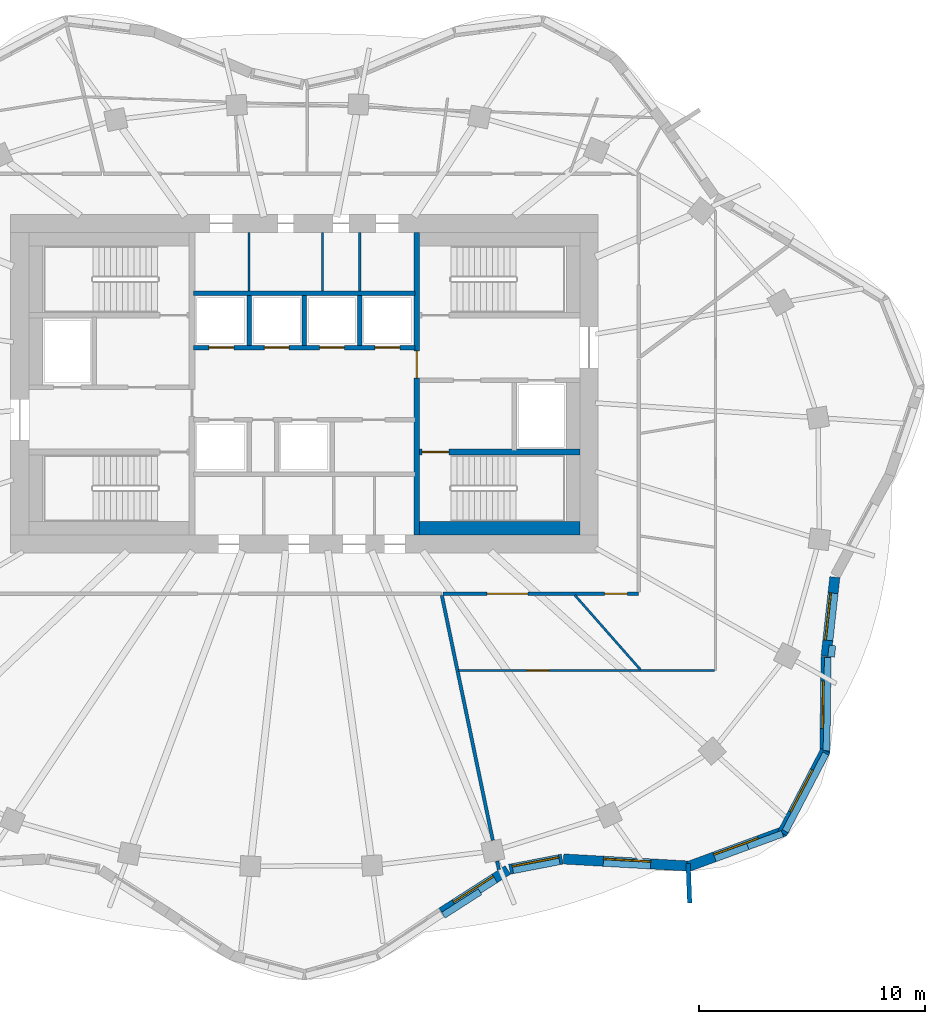
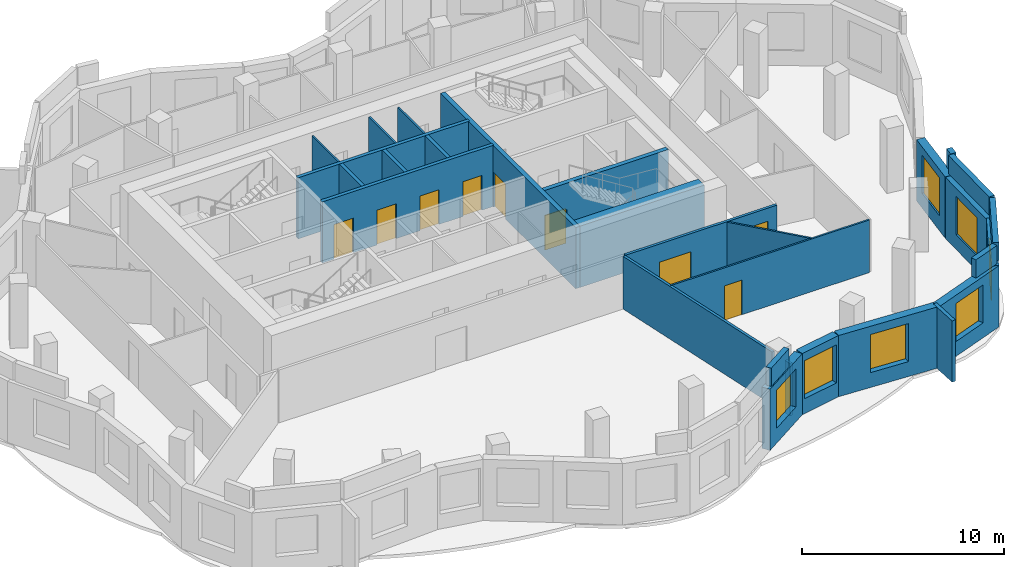
# One storey, part 5 of 9: 29 walls, 9 doors, 7 windows, 16 openings.
"""IFC4 building model written with IfcOpenShell, lengths in metres."""

from ifc_helpers import new_model, si_unit, direction, frame, frame_2d, origin, place, context, subcontext, project, spatial, rectangle, extrude, material, layer, layer_set, type_object, element, fill, save


model = new_model("IFC4")

# Units and contexts
model_context = context("Model", 3, precision=1e-05, world=origin(), true_north=direction((0.0, 1.0)))
body_context = subcontext(model_context, "Body", "Model", "MODEL_VIEW")
ifc_project = project(units=[si_unit("LENGTHUNIT", "METRE"), si_unit("AREAUNIT", "SQUARE_METRE"), si_unit("VOLUMEUNIT", "CUBIC_METRE"), si_unit("PLANEANGLEUNIT", "RADIAN"), si_unit("MASSUNIT", "GRAM", prefix="KILO")], contexts=[model_context])

# Site, building, storey
site_placement = place(None, origin())
site = spatial("IfcSite", under=ifc_project, at=site_placement, CompositionType="ELEMENT")
building_placement = place(site_placement, origin())
building = spatial("IfcBuilding", under=site, at=building_placement, Name="Rubra Terraces Tower", CompositionType="ELEMENT")
storey_placement = place(building_placement, frame((0.0, 0.0, 268.800048828125)))
storey = spatial("IfcBuildingStorey", under=building, at=storey_placement, Name="L66", CompositionType="ELEMENT", Elevation=268.800048828125)

# Wall, opening, window
ifc_material_1 = material(Name="Brick masonry red-brown", Category="masonry")
ifc_layer_1 = layer(ifc_material_1, 0.449951171875)
ifc_layer_set_1 = layer_set([ifc_layer_1], Name="Brick masonry red-brown")
wall_type_1 = type_object("IfcWallType", Name="Brick facade wall 450", PredefinedType="SOLIDWALL", material=ifc_layer_set_1)
wall_1_placement = place(storey_placement, frame((6.076416015625, -18.906494140625, 0.0), z_axis=(0.0, 0.0, 1.0), x_axis=(0.841872604405, 0.539676308496, 0.0)))
wall_1 = element("IfcWall", 1, at=wall_1_placement, inside=storey, type_object=wall_type_1, Name="Facade wall L66 bay 33", PredefinedType="SOLIDWALL", context=body_context, shape_type="SweptSolid", body=[
    extrude(rectangle(XDim=3.48193359375, YDim=0.449951171875, at=frame_2d((1.740966796875, 0.0))), origin(), (0.0, 0.0, 1.0), 3.699951171875),
])
opening_1_placement = place(wall_1_placement, frame((0.691162109375, 0.0, 0.89990234375)))
opening_1 = element("IfcOpeningElement", 2, at=opening_1_placement, cuts=wall_1, Name="Opening W1B", PredefinedType="OPENING", context=body_context, shape_type="SweptSolid", body=[
    extrude(rectangle(XDim=2.10009765625, YDim=2.300048828125, at=frame_2d((1.050048828125, 1.14990234375))), frame((0.0, 0.23486328125, 0.0), z_axis=(0.0, -1.0, 0.0), x_axis=(1.0, 0.0, 0.0)), (0.0, 0.0, 1.0), 0.469970703125),
])
ifc_material_2 = material(Name="Clear glass in aluminium frame", Category="aluminium")
window_type = type_object("IfcWindowType", Name="Fixed deep-set window tall storey 2100 x 2300", PartitioningType="SINGLE_PANEL", PredefinedType="WINDOW", material=ifc_material_2)
window_1_placement = place(opening_1_placement, origin())
window_1 = element("IfcWindow", 3, at=window_1_placement, inside=storey, type_object=window_type, Name="Window L66 bay 33", OverallHeight=2.300048828125, OverallWidth=2.10009765625, PartitioningType="SINGLE_PANEL", PredefinedType="WINDOW", context=body_context, shape_type="SweptSolid", body=[
    extrude(rectangle(XDim=2.10009765625, YDim=2.300048828125, at=frame_2d((1.050048828125, 1.14990234375))), frame((0.0, 0.135009765625, 0.0), z_axis=(0.0, -1.0, 0.0), x_axis=(1.0, 0.0, 0.0)), (0.0, 0.0, 1.0), 0.06005859375),
])
fill(opening_1, window_1)

wall_2_placement = place(storey_placement, frame((9.084716796875, -16.9970703125, 0.0), z_axis=(0.0, 0.0, 1.0), x_axis=(0.981863241167, 0.189590547352, 0.0)))
wall_2 = element("IfcWall", 4, at=wall_2_placement, inside=storey, type_object=wall_type_1, Name="Facade wall L66 bay 34", PredefinedType="SOLIDWALL", context=body_context, shape_type="SweptSolid", body=[
    extrude(rectangle(XDim=2.375732421875, YDim=0.449951171875, at=frame_2d((1.18798828125, 0.0))), origin(), (0.0, 0.0, 1.0), 3.699951171875),
])
opening_2_placement = place(wall_2_placement, frame((0.13818359375, 0.0, 0.89990234375)))
opening_2 = element("IfcOpeningElement", 5, at=opening_2_placement, cuts=wall_2, Name="Opening W1B", PredefinedType="OPENING", context=body_context, shape_type="SweptSolid", body=[
    extrude(rectangle(XDim=2.10009765625, YDim=2.300048828125, at=frame_2d((1.050048828125, 1.14990234375))), frame((0.0, 0.23486328125, 0.0), z_axis=(0.0, -1.0, 0.0), x_axis=(1.0, 0.0, 0.0)), (0.0, 0.0, 1.0), 0.469970703125),
])
window_2_placement = place(opening_2_placement, origin())
window_2 = element("IfcWindow", 6, at=window_2_placement, inside=storey, type_object=window_type, Name="Window L66 bay 34", OverallHeight=2.300048828125, OverallWidth=2.10009765625, PartitioningType="SINGLE_PANEL", PredefinedType="WINDOW", context=body_context, shape_type="SweptSolid", body=[
    extrude(rectangle(XDim=2.10009765625, YDim=2.300048828125, at=frame_2d((1.050048828125, 1.14990234375))), frame((0.0, 0.135009765625, 0.0), z_axis=(0.0, -1.0, 0.0), x_axis=(1.0, 0.0, 0.0)), (0.0, 0.0, 1.0), 0.06005859375),
])
fill(opening_2, window_2)

wall_3_placement = place(storey_placement, frame((11.472900390625, -16.54296875, 0.0), z_axis=(0.0, 0.0, 1.0), x_axis=(0.998421029491, -0.056173373311, 0.0)))
wall_3 = element("IfcWall", 7, at=wall_3_placement, inside=storey, type_object=wall_type_1, Name="Facade wall L66 bay 35", PredefinedType="SOLIDWALL", context=body_context, shape_type="SweptSolid", body=[
    extrude(rectangle(XDim=5.632568359375, YDim=0.449951171875, at=frame_2d((2.81640625, 0.0))), origin(), (0.0, 0.0, 1.0), 3.699951171875),
])
opening_3_placement = place(wall_3_placement, frame((1.766357421875, 0.0, 0.89990234375)))
opening_3 = element("IfcOpeningElement", 8, at=opening_3_placement, cuts=wall_3, Name="Opening W1B", PredefinedType="OPENING", context=body_context, shape_type="SweptSolid", body=[
    extrude(rectangle(XDim=2.10009765625, YDim=2.300048828125, at=frame_2d((1.050048828125, 1.14990234375))), frame((0.0, 0.23486328125, 0.0), z_axis=(0.0, -1.0, 0.0), x_axis=(1.0, 0.0, 0.0)), (0.0, 0.0, 1.0), 0.469970703125),
])
window_3_placement = place(opening_3_placement, origin())
window_3 = element("IfcWindow", 9, at=window_3_placement, inside=storey, type_object=window_type, Name="Window L66 bay 35", OverallHeight=2.300048828125, OverallWidth=2.10009765625, PartitioningType="SINGLE_PANEL", PredefinedType="WINDOW", context=body_context, shape_type="SweptSolid", body=[
    extrude(rectangle(XDim=2.10009765625, YDim=2.300048828125, at=frame_2d((1.050048828125, 1.14990234375))), frame((0.0, 0.135009765625, 0.0), z_axis=(0.0, -1.0, 0.0), x_axis=(1.0, 0.0, 0.0)), (0.0, 0.0, 1.0), 0.06005859375),
])
fill(opening_3, window_3)

wall_4_placement = place(storey_placement, frame((17.00634765625, -16.872802734375, 0.0), z_axis=(0.0, 0.0, 1.0), x_axis=(0.938563728531, 0.345105965591, 0.0)))
wall_4 = element("IfcWall", 10, at=wall_4_placement, inside=storey, type_object=wall_type_1, Name="Facade wall L66 bay 36", PredefinedType="SOLIDWALL", context=body_context, shape_type="SweptSolid", body=[
    extrude(rectangle(XDim=4.549560546875, YDim=0.449951171875, at=frame_2d((2.27490234375, 0.0))), origin(), (0.0, 0.0, 1.0), 3.699951171875),
])
opening_4_placement = place(wall_4_placement, frame((1.224609375, 0.0, 0.89990234375)))
opening_4 = element("IfcOpeningElement", 11, at=opening_4_placement, cuts=wall_4, Name="Opening W1B", PredefinedType="OPENING", context=body_context, shape_type="SweptSolid", body=[
    extrude(rectangle(XDim=2.10009765625, YDim=2.300048828125, at=frame_2d((1.050048828125, 1.14990234375))), frame((0.0, 0.23486328125, 0.0), z_axis=(0.0, -1.0, 0.0), x_axis=(1.0, 0.0, 0.0)), (0.0, 0.0, 1.0), 0.469970703125),
])
window_4_placement = place(opening_4_placement, origin())
window_4 = element("IfcWindow", 12, at=window_4_placement, inside=storey, type_object=window_type, Name="Window L66 bay 36", OverallHeight=2.300048828125, OverallWidth=2.10009765625, PartitioningType="SINGLE_PANEL", PredefinedType="WINDOW", context=body_context, shape_type="SweptSolid", body=[
    extrude(rectangle(XDim=2.10009765625, YDim=2.300048828125, at=frame_2d((1.050048828125, 1.14990234375))), frame((0.0, 0.135009765625, 0.0), z_axis=(0.0, -1.0, 0.0), x_axis=(1.0, 0.0, 0.0)), (0.0, 0.0, 1.0), 0.06005859375),
])
fill(opening_4, window_4)

wall_5_placement = place(storey_placement, frame((21.154541015625, -15.409912109375, 0.0), z_axis=(0.0, 0.0, 1.0), x_axis=(0.46287314096, 0.886424534508, 0.0)))
wall_5 = element("IfcWall", 13, at=wall_5_placement, inside=storey, type_object=wall_type_1, Name="Facade wall L66 bay 37", PredefinedType="SOLIDWALL", context=body_context, shape_type="SweptSolid", body=[
    extrude(rectangle(XDim=4.12890625, YDim=0.449951171875, at=frame_2d((2.064453125, 0.0))), origin(), (0.0, 0.0, 1.0), 3.699951171875),
])
opening_5_placement = place(wall_5_placement, frame((1.014404296875, 0.0, 0.89990234375)))
opening_5 = element("IfcOpeningElement", 14, at=opening_5_placement, cuts=wall_5, Name="Opening W1B", PredefinedType="OPENING", context=body_context, shape_type="SweptSolid", body=[
    extrude(rectangle(XDim=2.10009765625, YDim=2.300048828125, at=frame_2d((1.050048828125, 1.14990234375))), frame((0.0, 0.23486328125, 0.0), z_axis=(0.0, -1.0, 0.0), x_axis=(1.0, 0.0, 0.0)), (0.0, 0.0, 1.0), 0.469970703125),
])
window_5_placement = place(opening_5_placement, origin())
window_5 = element("IfcWindow", 15, at=window_5_placement, inside=storey, type_object=window_type, Name="Window L66 bay 37", OverallHeight=2.300048828125, OverallWidth=2.10009765625, PartitioningType="SINGLE_PANEL", PredefinedType="WINDOW", context=body_context, shape_type="SweptSolid", body=[
    extrude(rectangle(XDim=2.10009765625, YDim=2.300048828125, at=frame_2d((1.050048828125, 1.14990234375))), frame((0.0, 0.135009765625, 0.0), z_axis=(0.0, -1.0, 0.0), x_axis=(1.0, 0.0, 0.0)), (0.0, 0.0, 1.0), 0.06005859375),
])
fill(opening_5, window_5)

wall_6_placement = place(storey_placement, frame((23.040283203125, -11.845703125, 0.0), z_axis=(0.0, 0.0, 1.0), x_axis=(0.013130354873, 0.999913793175, 0.0)))
wall_6 = element("IfcWall", 16, at=wall_6_placement, inside=storey, type_object=wall_type_1, Name="Facade wall L66 bay 38", PredefinedType="SOLIDWALL", context=body_context, shape_type="SweptSolid", body=[
    extrude(rectangle(XDim=4.258056640625, YDim=0.449951171875, at=frame_2d((2.12890625, 0.0))), origin(), (0.0, 0.0, 1.0), 3.699951171875),
])
opening_6_placement = place(wall_6_placement, frame((1.0791015625, 0.0, 0.89990234375)))
opening_6 = element("IfcOpeningElement", 17, at=opening_6_placement, cuts=wall_6, Name="Opening W1B", PredefinedType="OPENING", context=body_context, shape_type="SweptSolid", body=[
    extrude(rectangle(XDim=2.10009765625, YDim=2.300048828125, at=frame_2d((1.050048828125, 1.14990234375))), frame((0.0, 0.23486328125, 0.0), z_axis=(0.0, -1.0, 0.0), x_axis=(1.0, 0.0, 0.0)), (0.0, 0.0, 1.0), 0.469970703125),
])
window_6_placement = place(opening_6_placement, origin())
window_6 = element("IfcWindow", 18, at=window_6_placement, inside=storey, type_object=window_type, Name="Window L66 bay 38", OverallHeight=2.300048828125, OverallWidth=2.10009765625, PartitioningType="SINGLE_PANEL", PredefinedType="WINDOW", context=body_context, shape_type="SweptSolid", body=[
    extrude(rectangle(XDim=2.10009765625, YDim=2.300048828125, at=frame_2d((1.050048828125, 1.14990234375))), frame((0.0, 0.135009765625, 0.0), z_axis=(0.0, -1.0, 0.0), x_axis=(1.0, 0.0, 0.0)), (0.0, 0.0, 1.0), 0.06005859375),
])
fill(opening_6, window_6)

wall_7_placement = place(storey_placement, frame((23.09814453125, -7.565185546875, 0.0), z_axis=(0.0, 0.0, 1.0), x_axis=(0.109380912292, 0.993999907458, 0.0)))
wall_7 = element("IfcWall", 19, at=wall_7_placement, inside=storey, type_object=wall_type_1, Name="Facade wall L66 bay 39", PredefinedType="SOLIDWALL", context=body_context, shape_type="SweptSolid", body=[
    extrude(rectangle(XDim=3.52001953125, YDim=0.449951171875, at=frame_2d((1.760009765625, 0.0))), origin(), (0.0, 0.0, 1.0), 3.699951171875),
])
opening_7_placement = place(wall_7_placement, frame((0.7099609375, 0.0, 0.89990234375)))
opening_7 = element("IfcOpeningElement", 20, at=opening_7_placement, cuts=wall_7, Name="Opening W1B", PredefinedType="OPENING", context=body_context, shape_type="SweptSolid", body=[
    extrude(rectangle(XDim=2.10009765625, YDim=2.300048828125, at=frame_2d((1.050048828125, 1.14990234375))), frame((0.0, 0.23486328125, 0.0), z_axis=(0.0, -1.0, 0.0), x_axis=(1.0, 0.0, 0.0)), (0.0, 0.0, 1.0), 0.469970703125),
])
window_7_placement = place(opening_7_placement, origin())
window_7 = element("IfcWindow", 21, at=window_7_placement, inside=storey, type_object=window_type, Name="Window L66 bay 39", OverallHeight=2.300048828125, OverallWidth=2.10009765625, PartitioningType="SINGLE_PANEL", PredefinedType="WINDOW", context=body_context, shape_type="SweptSolid", body=[
    extrude(rectangle(XDim=2.10009765625, YDim=2.300048828125, at=frame_2d((1.050048828125, 1.14990234375))), frame((0.0, 0.135009765625, 0.0), z_axis=(0.0, -1.0, 0.0), x_axis=(1.0, 0.0, 0.0)), (0.0, 0.0, 1.0), 0.06005859375),
])
fill(opening_7, window_7)

# Walls
ifc_layer_2 = layer(ifc_material_1, 0.300048828125)
ifc_layer_set_2 = layer_set([ifc_layer_2], Name="Brick masonry red-brown")
wall_type_2 = type_object("IfcWallType", Name="Brick parapet 300", PredefinedType="PARAPET", material=ifc_layer_set_2)
wall_8_placement = place(storey_placement, frame((6.154541015625, -19.03173828125, 3.89990234375), z_axis=(0.0, 0.0, 1.0), x_axis=(0.841865843565, 0.53968685498, 0.0)))
element("IfcWall", 22, at=wall_8_placement, inside=storey, type_object=wall_type_2, Name="Parapet L66 bay 33", PredefinedType="PARAPET", context=body_context, shape_type="SweptSolid", body=[
    extrude(rectangle(XDim=1.92529296875, YDim=0.300048828125, at=frame_2d((0.962646484375, 0.0))), origin(), (0.0, 0.0, 1.0), 1.10009765625),
])
wall_9_placement = place(storey_placement, frame((19.630126953125, -15.988037109375, 3.89990234375), z_axis=(0.0, 0.0, 1.0), x_axis=(0.938567178283, 0.345096583364, 0.0)))
element("IfcWall", 23, at=wall_9_placement, inside=storey, type_object=wall_type_2, Name="Parapet L66 bay 36", PredefinedType="PARAPET", context=body_context, shape_type="SweptSolid", body=[
    extrude(rectangle(XDim=1.6357421875, YDim=0.300048828125, at=frame_2d((0.81787109375, 0.0))), origin(), (0.0, 0.0, 1.0), 1.10009765625),
])
wall_10_placement = place(storey_placement, frame((21.28857421875, -15.315185546875, 3.89990234375), z_axis=(0.0, 0.0, 1.0), x_axis=(0.46286906941, 0.886426660578, 0.0)))
element("IfcWall", 24, at=wall_10_placement, inside=storey, type_object=wall_type_2, Name="Parapet L66 bay 37", PredefinedType="PARAPET", context=body_context, shape_type="SweptSolid", body=[
    extrude(rectangle(XDim=3.881591796875, YDim=0.300048828125, at=frame_2d((1.94091796875, 0.0))), origin(), (0.0, 0.0, 1.0), 1.10009765625),
])
wall_11_placement = place(storey_placement, frame((23.116455078125, -11.75048828125, 3.89990234375), z_axis=(0.0, 0.0, 1.0), x_axis=(0.013134184422, 0.99991374288, 0.0)))
element("IfcWall", 25, at=wall_11_placement, inside=storey, type_object=wall_type_2, Name="Parapet L66 bay 38", PredefinedType="PARAPET", context=body_context, shape_type="SweptSolid", body=[
    extrude(rectangle(XDim=4.12646484375, YDim=0.300048828125, at=frame_2d((2.063232421875, 0.0))), origin(), (0.0, 0.0, 1.0), 1.10009765625),
])
wall_12_placement = place(storey_placement, frame((23.321044921875, -7.59619140625, 3.89990234375), z_axis=(0.0, 0.0, 1.0), x_axis=(0.109378398632, 0.994000184061, 0.0)))
element("IfcWall", 26, at=wall_12_placement, inside=storey, type_object=wall_type_2, Name="Parapet L66 bay 39", PredefinedType="PARAPET", context=body_context, shape_type="SweptSolid", body=[
    extrude(rectangle(XDim=0.509033203125, YDim=0.300048828125, at=frame_2d((0.25439453125, 0.0))), origin(), (0.0, 0.0, 1.0), 1.10009765625),
])
ifc_layer_3 = layer(ifc_material_1, 0.199951171875)
ifc_layer_set_3 = layer_set([ifc_layer_3], Name="Brick masonry red-brown")
wall_type_3 = type_object("IfcWallType", Name="Brick wind fin 200", PredefinedType="SOLIDWALL", material=ifc_layer_set_3)
wall_13_placement = place(storey_placement, frame((16.989990234375, -16.737060546875, 0.0), z_axis=(0.0, 0.0, 1.0), x_axis=(0.038084872359, -0.999274508079, 0.0)))
element("IfcWall", 27, at=wall_13_placement, inside=storey, type_object=wall_type_3, Name="Wind fin L66 18", PredefinedType="SOLIDWALL", context=body_context, shape_type="SweptSolid", body=[
    extrude(rectangle(XDim=1.75, YDim=0.199951171875, at=frame_2d((0.875, 0.0))), origin(), (0.0, 0.0, 1.0), 3.699951171875),
])

# Wall, openings, doors
ifc_material_3 = material(Name="Plasterboard on steel stud, mineral wool infill", Category="steel")
ifc_layer_4 = layer(ifc_material_3, 0.14990234375)
ifc_layer_set_4 = layer_set([ifc_layer_4], Name="Plasterboard on steel stud, mineral wool infill")
wall_type_4 = type_object("IfcWallType", Name="CORRIDOR PARTITION 150", PredefinedType="PARTITIONING", material=ifc_layer_set_4)
wall_14_placement = place(storey_placement, frame((6.144775390625, -4.800048828125, 0.0), z_axis=(0.0, 0.0, 1.0), x_axis=(1.0, 0.0, 0.0)))
wall_14 = element("IfcWall", 28, at=wall_14_placement, inside=storey, type_object=wall_type_4, Name="PARTITION", PredefinedType="PARTITIONING", context=body_context, shape_type="SweptSolid", body=[
    extrude(rectangle(XDim=8.6552734375, YDim=0.14990234375, at=frame_2d((4.32763671875, 0.0))), origin(), (0.0, 0.0, 1.0), 3.197998046875),
])
opening_8_placement = place(wall_14_placement, frame((1.948974609375, 0.0, 0.0)))
opening_8 = element("IfcOpeningElement", 29, at=opening_8_placement, cuts=wall_14, Name="Opening 66-110", PredefinedType="OPENING", context=body_context, shape_type="SweptSolid", body=[
    extrude(rectangle(XDim=1.800048828125, YDim=2.10009765625, at=frame_2d((0.89990234375, 1.050048828125))), frame((0.0, 0.0849609375, 0.0), z_axis=(0.0, -1.0, 0.0), x_axis=(1.0, 0.0, 0.0)), (0.0, 0.0, 1.0), 0.169921875),
])
opening_9_placement = place(wall_14_placement, frame((7.14990234375, 0.0, 0.0)))
opening_9 = element("IfcOpeningElement", 30, at=opening_9_placement, cuts=wall_14, Name="Opening 66-112", PredefinedType="OPENING", context=body_context, shape_type="SweptSolid", body=[
    extrude(rectangle(XDim=1.0, YDim=2.39990234375, at=frame_2d((0.5, 1.199951171875))), frame((0.0, 0.0849609375, 0.0), z_axis=(0.0, -1.0, 0.0), x_axis=(1.0, 0.0, 0.0)), (0.0, 0.0, 1.0), 0.169921875),
])
ifc_material_4 = material(Name="Glazed aluminium meeting door leaf", Category="aluminium")
door_type_1 = type_object("IfcDoorType", Name="MEETING ROOM GLAZED DOOR 1000 X 2400", OperationType="SINGLE_SWING_LEFT", PredefinedType="DOOR", material=ifc_material_4)
door_1_placement = place(opening_9_placement, origin())
door_1 = element("IfcDoor", 31, at=door_1_placement, inside=storey, type_object=door_type_1, Name="DOOR 66-112", OperationType="SINGLE_SWING_RIGHT", OverallHeight=2.39990234375, OverallWidth=1.0, PredefinedType="DOOR", context=body_context, shape_type="SweptSolid", body=[
    extrude(rectangle(XDim=1.0, YDim=2.39990234375, at=frame_2d((0.5, 1.199951171875))), frame((0.0, 0.02490234375, 0.0), z_axis=(0.0, -1.0, 0.0), x_axis=(1.0, 0.0, 0.0)), (0.0, 0.0, 1.0), 0.050048828125),
])
fill(opening_9, door_1)
ifc_material_5 = material(Name="Painted timber door leaf, double", Category="wood")
door_type_2 = type_object("IfcDoorType", Name="ROOM DOUBLE DOOR 1800 X 2100", OperationType="DOUBLE_DOOR_SINGLE_SWING", PredefinedType="DOOR", material=ifc_material_5)
door_2_placement = place(opening_8_placement, origin())
door_2 = element("IfcDoor", 32, at=door_2_placement, inside=storey, type_object=door_type_2, Name="DOOR 66-110", OperationType="DOUBLE_DOOR_SINGLE_SWING", OverallHeight=2.10009765625, OverallWidth=1.800048828125, PredefinedType="DOOR", context=body_context, shape_type="SweptSolid", body=[
    extrude(rectangle(XDim=1.800048828125, YDim=2.10009765625, at=frame_2d((0.89990234375, 1.050048828125))), frame((0.0, 0.02490234375, 0.0), z_axis=(0.0, -1.0, 0.0), x_axis=(1.0, 0.0, 0.0)), (0.0, 0.0, 1.0), 0.050048828125),
])
fill(opening_8, door_2)

# Wall
ifc_material_6 = material(Name="Concrete C40", Category="concrete")
ifc_layer_5 = layer(ifc_material_6, 0.60009765625)
ifc_layer_set_5 = layer_set([ifc_layer_5], Name="Concrete C40")
wall_type_5 = type_object("IfcWallType", Name="Core lining wall 600 concrete", PredefinedType="SOLIDWALL", material=ifc_layer_set_5)
wall_15_placement = place(storey_placement, frame((12.199951171875, -1.89990234375, 0.0), z_axis=(0.0, 0.0, 1.0), x_axis=(-1.0, 0.0, 0.0)))
element("IfcWall", 33, at=wall_15_placement, inside=storey, type_object=wall_type_5, Name="CORE LINING WALL L66", PredefinedType="SOLIDWALL", context=body_context, shape_type="SweptSolid", body=[
    extrude(rectangle(XDim=7.099853515625, YDim=0.60009765625, at=frame_2d((3.5498046875, 0.0))), origin(), (0.0, 0.0, 1.0), 3.699951171875),
])

# Wall, openings, doors
ifc_material_7 = material(Name="Concrete C30", Category="concrete")
ifc_layer_6 = layer(ifc_material_7, 0.199951171875)
ifc_layer_set_6 = layer_set([ifc_layer_6], Name="Concrete C30")
wall_type_6 = type_object("IfcWallType", Name="Core wall 200 concrete", PredefinedType="SOLIDWALL", material=ifc_layer_set_6)
wall_16_placement = place(storey_placement, frame((-4.89990234375, 6.10009765625, 0.0), z_axis=(0.0, 0.0, 1.0), x_axis=(1.0, 0.0, 0.0)))
wall_16 = element("IfcWall", 34, at=wall_16_placement, inside=storey, type_object=wall_type_6, Name="LIFT SHAFT WALL L66", PredefinedType="SOLIDWALL", context=body_context, shape_type="SweptSolid", body=[
    extrude(rectangle(XDim=9.7998046875, YDim=0.199951171875, at=frame_2d((4.89990234375, 0.0))), origin(), (0.0, 0.0, 1.0), 3.699951171875),
])
opening_10_placement = place(wall_16_placement, frame((0.675048828125, 0.0, 0.0)))
opening_10 = element("IfcOpeningElement", 35, at=opening_10_placement, cuts=wall_16, Name="Opening L66.C17", PredefinedType="OPENING", context=body_context, shape_type="SweptSolid", body=[
    extrude(rectangle(XDim=1.10009765625, YDim=2.10009765625, at=frame_2d((0.550048828125, 1.050048828125))), frame((0.0, 0.10986328125, 0.0), z_axis=(0.0, -1.0, 0.0), x_axis=(1.0, 0.0, 0.0)), (0.0, 0.0, 1.0), 0.219970703125),
])
opening_11_placement = place(wall_16_placement, frame((3.125, 0.0, 0.0)))
opening_11 = element("IfcOpeningElement", 36, at=opening_11_placement, cuts=wall_16, Name="Opening L66.C18", PredefinedType="OPENING", context=body_context, shape_type="SweptSolid", body=[
    extrude(rectangle(XDim=1.10009765625, YDim=2.10009765625, at=frame_2d((0.550048828125, 1.050048828125))), frame((0.0, 0.10986328125, 0.0), z_axis=(0.0, -1.0, 0.0), x_axis=(1.0, 0.0, 0.0)), (0.0, 0.0, 1.0), 0.219970703125),
])
opening_12_placement = place(wall_16_placement, frame((5.574951171875, 0.0, 0.0)))
opening_12 = element("IfcOpeningElement", 37, at=opening_12_placement, cuts=wall_16, Name="Opening L66.C19", PredefinedType="OPENING", context=body_context, shape_type="SweptSolid", body=[
    extrude(rectangle(XDim=1.10009765625, YDim=2.10009765625, at=frame_2d((0.550048828125, 1.050048828125))), frame((0.0, 0.10986328125, 0.0), z_axis=(0.0, -1.0, 0.0), x_axis=(1.0, 0.0, 0.0)), (0.0, 0.0, 1.0), 0.219970703125),
])
opening_13_placement = place(wall_16_placement, frame((8.02490234375, 0.0, 0.0)))
opening_13 = element("IfcOpeningElement", 38, at=opening_13_placement, cuts=wall_16, Name="Opening L66.C20", PredefinedType="OPENING", context=body_context, shape_type="SweptSolid", body=[
    extrude(rectangle(XDim=1.10009765625, YDim=2.10009765625, at=frame_2d((0.550048828125, 1.050048828125))), frame((0.0, 0.10986328125, 0.0), z_axis=(0.0, -1.0, 0.0), x_axis=(1.0, 0.0, 0.0)), (0.0, 0.0, 1.0), 0.219970703125),
])
ifc_material_8 = material(Name="Stainless steel", Category="steel")
door_type_3 = type_object("IfcDoorType", Name="Lift landing door 1100x2100", OperationType="NOTDEFINED", PredefinedType="DOOR", material=ifc_material_8)
door_3_placement = place(opening_10_placement, origin())
door_3 = element("IfcDoor", 39, at=door_3_placement, inside=storey, type_object=door_type_3, Name="Landing door HB3", OperationType="SLIDING_TO_RIGHT", OverallHeight=2.10009765625, OverallWidth=1.10009765625, PredefinedType="DOOR", context=body_context, shape_type="SweptSolid", body=[
    extrude(rectangle(XDim=1.10009765625, YDim=2.10009765625, at=frame_2d((0.550048828125, 1.050048828125))), frame((0.0, 0.02490234375, 0.0), z_axis=(0.0, -1.0, 0.0), x_axis=(1.0, 0.0, 0.0)), (0.0, 0.0, 1.0), 0.050048828125),
])
fill(opening_10, door_3)
door_4_placement = place(opening_11_placement, origin())
door_4 = element("IfcDoor", 40, at=door_4_placement, inside=storey, type_object=door_type_3, Name="Landing door HB4", OperationType="SLIDING_TO_LEFT", OverallHeight=2.10009765625, OverallWidth=1.10009765625, PredefinedType="DOOR", context=body_context, shape_type="SweptSolid", body=[
    extrude(rectangle(XDim=1.10009765625, YDim=2.10009765625, at=frame_2d((0.550048828125, 1.050048828125))), frame((0.0, 0.02490234375, 0.0), z_axis=(0.0, -1.0, 0.0), x_axis=(1.0, 0.0, 0.0)), (0.0, 0.0, 1.0), 0.050048828125),
])
fill(opening_11, door_4)
door_5_placement = place(opening_12_placement, origin())
door_5 = element("IfcDoor", 41, at=door_5_placement, inside=storey, type_object=door_type_3, Name="Landing door HB5", OperationType="SLIDING_TO_RIGHT", OverallHeight=2.10009765625, OverallWidth=1.10009765625, PredefinedType="DOOR", context=body_context, shape_type="SweptSolid", body=[
    extrude(rectangle(XDim=1.10009765625, YDim=2.10009765625, at=frame_2d((0.550048828125, 1.050048828125))), frame((0.0, 0.02490234375, 0.0), z_axis=(0.0, -1.0, 0.0), x_axis=(1.0, 0.0, 0.0)), (0.0, 0.0, 1.0), 0.050048828125),
])
fill(opening_12, door_5)
door_6_placement = place(opening_13_placement, origin())
door_6 = element("IfcDoor", 42, at=door_6_placement, inside=storey, type_object=door_type_3, Name="Landing door HB6", OperationType="SLIDING_TO_LEFT", OverallHeight=2.10009765625, OverallWidth=1.10009765625, PredefinedType="DOOR", context=body_context, shape_type="SweptSolid", body=[
    extrude(rectangle(XDim=1.10009765625, YDim=2.10009765625, at=frame_2d((0.550048828125, 1.050048828125))), frame((0.0, 0.02490234375, 0.0), z_axis=(0.0, -1.0, 0.0), x_axis=(1.0, 0.0, 0.0)), (0.0, 0.0, 1.0), 0.050048828125),
])
fill(opening_13, door_6)

# Walls
wall_17_placement = place(storey_placement, frame((-4.89990234375, 8.5, 0.0), z_axis=(0.0, 0.0, 1.0), x_axis=(1.0, 0.0, 0.0)))
element("IfcWall", 43, at=wall_17_placement, inside=storey, type_object=wall_type_6, Name="LIFT SHAFT WALL L66", PredefinedType="SOLIDWALL", context=body_context, shape_type="SweptSolid", body=[
    extrude(rectangle(XDim=9.7998046875, YDim=0.199951171875, at=frame_2d((4.89990234375, 0.0))), origin(), (0.0, 0.0, 1.0), 3.699951171875),
])
for number, where, z_axis, x_axis, name in (
    (44, (-2.449951171875, 6.199951171875, 0.0), (0.0, 0.0, 1.0), (0.0, 1.0, 0.0), "LIFT SHAFT WALL L66"),
    (45, (0.0, 6.199951171875, 0.0), (0.0, 0.0, 1.0), (0.0, 1.0, 0.0), "LIFT SHAFT WALL L66"),
    (46, (2.449951171875, 6.199951171875, 0.0), (0.0, 0.0, 1.0), (0.0, 1.0, 0.0), "LIFT SHAFT WALL L66"),
):
    element("IfcWall", number, at=place(storey_placement, frame(where, z_axis=z_axis, x_axis=x_axis)), inside=storey, type_object=wall_type_6, Name=name, PredefinedType="SOLIDWALL", context=body_context, shape_type="SweptSolid", body=[
        extrude(rectangle(XDim=2.199951171875, YDim=0.199951171875, at=frame_2d((1.10009765625, 0.0))), origin(), (0.0, 0.0, 1.0), 3.699951171875),
    ])

# Wall, opening, door
ifc_material_9 = material(Name="Plasterboard on steel stud", Category="steel")
ifc_layer_7 = layer(ifc_material_9, 0.10009765625)
ifc_layer_set_7 = layer_set([ifc_layer_7], Name="Plasterboard on steel stud")
wall_type_7 = type_object("IfcWallType", Name="ROOM PARTITION 100", PredefinedType="PARTITIONING", material=ifc_layer_set_7)
wall_18_placement = place(storey_placement, frame((18.14990234375, -8.199951171875, 0.0), z_axis=(0.0, 0.0, 1.0), x_axis=(-1.0, 0.0, 0.0)))
wall_18 = element("IfcWall", 47, at=wall_18_placement, inside=storey, type_object=wall_type_7, Name="PARTITION", PredefinedType="PARTITIONING", context=body_context, shape_type="SweptSolid", body=[
    extrude(rectangle(XDim=11.35205078125, YDim=0.10009765625, at=frame_2d((5.676025390625, 0.0))), origin(), (0.0, 0.0, 1.0), 3.183837890625),
])
opening_14_placement = place(wall_18_placement, frame((7.299072265625, 0.0, 0.0)))
opening_14 = element("IfcOpeningElement", 48, at=opening_14_placement, cuts=wall_18, Name="Opening 66-111", PredefinedType="OPENING", context=body_context, shape_type="SweptSolid", body=[
    extrude(rectangle(XDim=1.0, YDim=2.10009765625, at=frame_2d((0.5, 1.050048828125))), frame((0.0, 0.06005859375, 0.0), z_axis=(0.0, -1.0, 0.0), x_axis=(1.0, 0.0, 0.0)), (0.0, 0.0, 1.0), 0.1201171875),
])
ifc_material_10 = material(Name="Painted timber door leaf", Category="wood")
door_type_4 = type_object("IfcDoorType", Name="ROOM DOOR 1000 X 2100", OperationType="SINGLE_SWING_LEFT", PredefinedType="DOOR", material=ifc_material_10)
door_7_placement = place(opening_14_placement, origin())
door_7 = element("IfcDoor", 49, at=door_7_placement, inside=storey, type_object=door_type_4, Name="DOOR 66-111", OperationType="SINGLE_SWING_RIGHT", OverallHeight=2.10009765625, OverallWidth=1.0, PredefinedType="DOOR", context=body_context, shape_type="SweptSolid", body=[
    extrude(rectangle(XDim=1.0, YDim=2.10009765625, at=frame_2d((0.5, 1.050048828125))), frame((0.0, 0.02490234375, 0.0), z_axis=(0.0, -1.0, 0.0), x_axis=(1.0, 0.0, 0.0)), (0.0, 0.0, 1.0), 0.050048828125),
])
fill(opening_14, door_7)

# Walls
wall_19_placement = place(storey_placement, frame((11.96728515625, -4.856201171875, 0.0), z_axis=(0.0, 0.0, 1.0), x_axis=(0.660945113881, -0.750434245245, 0.0)))
element("IfcWall", 50, at=wall_19_placement, inside=storey, type_object=wall_type_7, Name="PARTITION", PredefinedType="PARTITIONING", context=body_context, shape_type="SweptSolid", body=[
    extrude(rectangle(XDim=4.406005859375, YDim=0.10009765625, at=frame_2d((2.203125, 0.0))), origin(), (0.0, 0.0, 1.0), 3.183837890625),
])
ifc_layer_8 = layer(ifc_material_9, 0.14990234375)
ifc_layer_set_8 = layer_set([ifc_layer_8], Name="Plasterboard on steel stud")
wall_type_8 = type_object("IfcWallType", Name="ROOM PARTITION 150", PredefinedType="PARTITIONING", material=ifc_layer_set_8)
wall_20_placement = place(storey_placement, frame((8.61083984375, -17.009765625, 0.0), z_axis=(0.0, 0.0, 1.0), x_axis=(-0.203675528964, 0.979038446079, 0.0)))
element("IfcWall", 51, at=wall_20_placement, inside=storey, type_object=wall_type_8, Name="PARTITION", PredefinedType="PARTITIONING", context=body_context, shape_type="SweptSolid", body=[
    extrude(rectangle(XDim=0.384765625, YDim=0.14990234375, at=frame_2d((0.1923828125, 0.0))), origin(), (0.0, 0.0, 1.0), 3.183837890625),
])
wall_21_placement = place(storey_placement, frame((8.341064453125, -15.712646484375, 0.0), z_axis=(0.0, 0.0, 1.0), x_axis=(-0.203751717625, 0.97902259298, 0.0)))
element("IfcWall", 52, at=wall_21_placement, inside=storey, type_object=wall_type_8, Name="PARTITION", PredefinedType="PARTITIONING", context=body_context, shape_type="SweptSolid", body=[
    extrude(rectangle(XDim=11.071533203125, YDim=0.14990234375, at=frame_2d((5.53564453125, 0.0))), origin(), (0.0, 0.0, 1.0), 3.183837890625),
])
ifc_material_11 = material(Name="Blockwork", Category="masonry")
ifc_layer_9 = layer(ifc_material_11, 0.10009765625)
ifc_layer_set_9 = layer_set([ifc_layer_9], Name="Blockwork")
wall_type_9 = type_object("IfcWallType", Name="Service partition 100 blockwork", PredefinedType="PARTITIONING", material=ifc_layer_set_9)
for number, where, z_axis, x_axis, name in (
    (53, (-2.449951171875, 8.60009765625, 0.0), (0.0, 0.0, 1.0), (0.0, 1.0, 0.0), "SERVICE ROOM PARTITION L66"),
    (54, (0.800048828125, 8.60009765625, 0.0), (0.0, 0.0, 1.0), (0.0, 1.0, 0.0), "SERVICE ROOM PARTITION L66"),
    (55, (2.449951171875, 8.60009765625, 0.0), (0.0, 0.0, 1.0), (0.0, 1.0, 0.0), "SERVICE ROOM PARTITION L66"),
):
    element("IfcWall", number, at=place(storey_placement, frame(where, z_axis=z_axis, x_axis=x_axis)), inside=storey, type_object=wall_type_9, Name=name, PredefinedType="PARTITIONING", context=body_context, shape_type="SweptSolid", body=[
        extrude(rectangle(XDim=2.599853515625, YDim=0.10009765625, at=frame_2d((1.2998046875, 0.0))), origin(), (0.0, 0.0, 1.0), 3.699951171875),
    ])

# Wall, opening, door
ifc_layer_10 = layer(ifc_material_6, 0.25)
ifc_layer_set_10 = layer_set([ifc_layer_10], Name="Concrete C40")
wall_type_10 = type_object("IfcWallType", Name="Stair enclosure wall 250 concrete", PredefinedType="SOLIDWALL", material=ifc_layer_set_10)
wall_22_placement = place(storey_placement, frame((12.199951171875, 1.47509765625, 0.0), z_axis=(0.0, 0.0, 1.0), x_axis=(-1.0, 0.0, 0.0)))
wall_22 = element("IfcWall", 56, at=wall_22_placement, inside=storey, type_object=wall_type_10, Name="STAIR WALL L66", PredefinedType="SOLIDWALL", context=body_context, shape_type="SweptSolid", body=[
    extrude(rectangle(XDim=7.099853515625, YDim=0.25, at=frame_2d((3.5498046875, 0.0))), origin(), (0.0, 0.0, 1.0), 3.699951171875),
])
opening_15_placement = place(wall_22_placement, frame((5.800048828125, 0.0, 0.0)))
opening_15 = element("IfcOpeningElement", 57, at=opening_15_placement, cuts=wall_22, Name="Opening L66.C10", PredefinedType="OPENING", context=body_context, shape_type="SweptSolid", body=[
    extrude(rectangle(XDim=1.199951171875, YDim=2.10009765625, at=frame_2d((0.60009765625, 1.050048828125))), frame((0.0, 0.135009765625, 0.0), z_axis=(0.0, -1.0, 0.0), x_axis=(1.0, 0.0, 0.0)), (0.0, 0.0, 1.0), 0.27001953125),
])
ifc_material_12 = material(Name="Painted steel", Category="steel")
door_type_5 = type_object("IfcDoorType", Name="Fire door 1200x2100 single", OperationType="NOTDEFINED", PredefinedType="DOOR", material=ifc_material_12)
door_8_placement = place(opening_15_placement, origin())
door_8 = element("IfcDoor", 58, at=door_8_placement, inside=storey, type_object=door_type_5, Name="Stair door S4", OperationType="SINGLE_SWING_RIGHT", OverallHeight=2.10009765625, OverallWidth=1.199951171875, PredefinedType="DOOR", context=body_context, shape_type="SweptSolid", body=[
    extrude(rectangle(XDim=1.199951171875, YDim=2.10009765625, at=frame_2d((0.60009765625, 1.050048828125))), frame((0.0, 0.02490234375, 0.0), z_axis=(0.0, -1.0, 0.0), x_axis=(1.0, 0.0, 0.0)), (0.0, 0.0, 1.0), 0.050048828125),
])
fill(opening_15, door_8)

wall_23_placement = place(storey_placement, frame((4.97509765625, 11.199951171875, 0.0), z_axis=(0.0, 0.0, 1.0), x_axis=(0.0, -1.0, 0.0)))
wall_23 = element("IfcWall", 59, at=wall_23_placement, inside=storey, type_object=wall_type_10, Name="CORE LOBBY WALL L66", PredefinedType="SOLIDWALL", context=body_context, shape_type="SweptSolid", body=[
    extrude(rectangle(XDim=13.39990234375, YDim=0.25, at=frame_2d((6.699951171875, 0.0))), origin(), (0.0, 0.0, 1.0), 3.699951171875),
])
opening_16_placement = place(wall_23_placement, frame((5.25, 0.0, 0.0)))
opening_16 = element("IfcOpeningElement", 60, at=opening_16_placement, cuts=wall_23, Name="Opening L66.C04", PredefinedType="OPENING", context=body_context, shape_type="SweptSolid", body=[
    extrude(rectangle(XDim=1.199951171875, YDim=2.10009765625, at=frame_2d((0.60009765625, 1.050048828125))), frame((0.0, 0.135009765625, 0.0), z_axis=(0.0, -1.0, 0.0), x_axis=(1.0, 0.0, 0.0)), (0.0, 0.0, 1.0), 0.27001953125),
])
door_9_placement = place(opening_16_placement, origin())
door_9 = element("IfcDoor", 61, at=door_9_placement, inside=storey, type_object=door_type_5, Name="Firefighting lobby door FF2", OperationType="SINGLE_SWING_RIGHT", OverallHeight=2.10009765625, OverallWidth=1.199951171875, PredefinedType="DOOR", context=body_context, shape_type="SweptSolid", body=[
    extrude(rectangle(XDim=1.199951171875, YDim=2.10009765625, at=frame_2d((0.60009765625, 1.050048828125))), frame((0.0, 0.02490234375, 0.0), z_axis=(0.0, -1.0, 0.0), x_axis=(1.0, 0.0, 0.0)), (0.0, 0.0, 1.0), 0.050048828125),
])
fill(opening_16, door_9)

save(model, "model.ifc")
